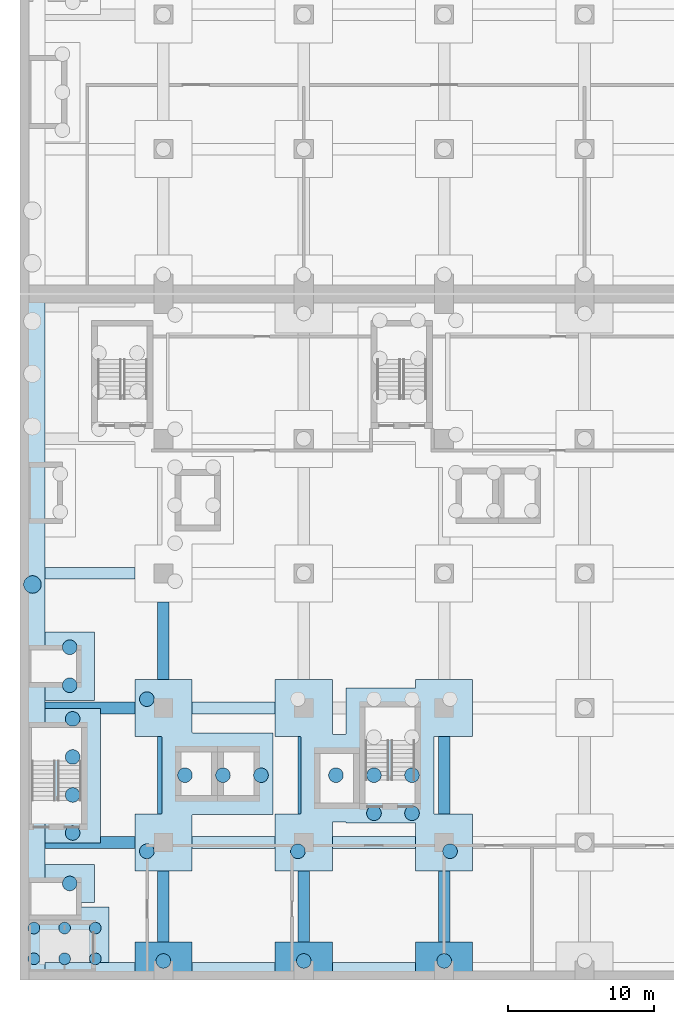
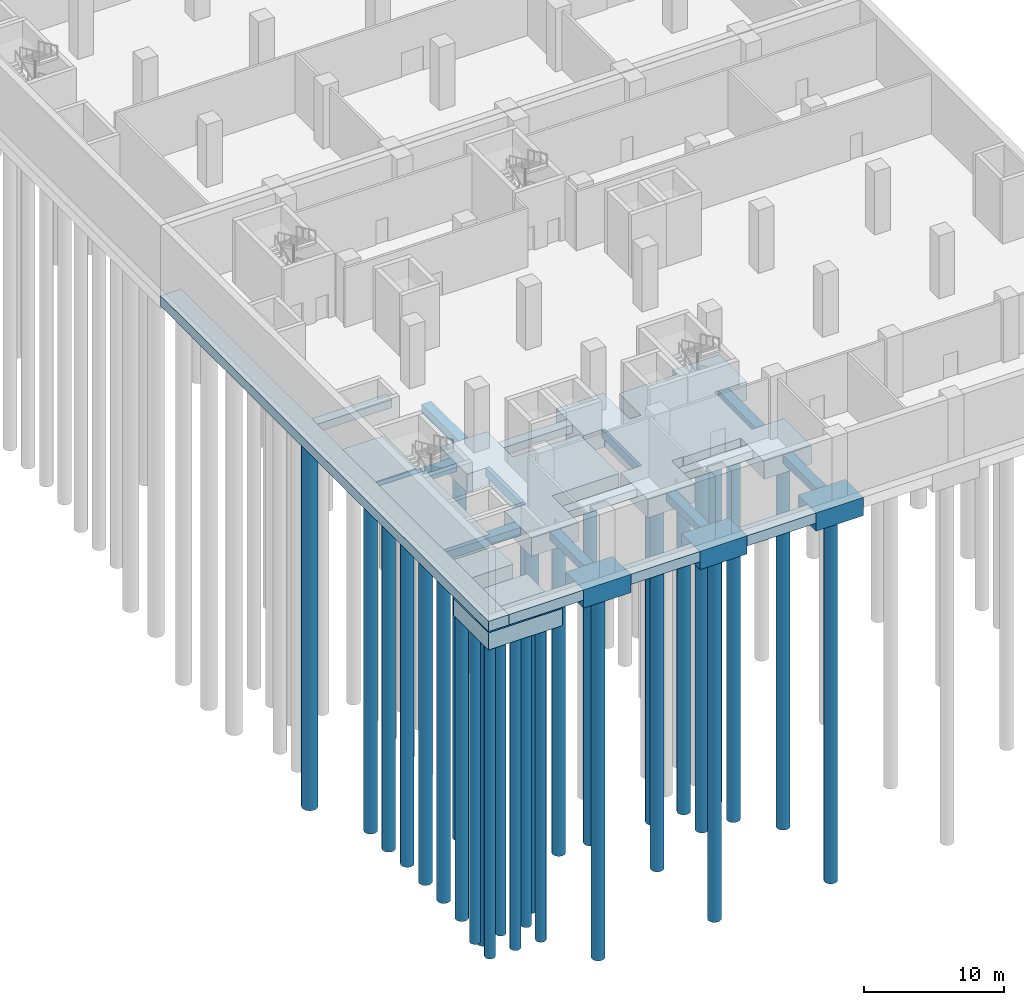
# One storey, part 1 of 33: 29 piles, 26 footings.
"""IFC4 building model written with IfcOpenShell, lengths in metres."""

from ifc_helpers import new_model, si_unit, direction, frame, origin, origin_2d, place, context, subcontext, project, spatial, polyline, circle, outline, extrude, material, layer, layer_set, material_profile, profile_set, type_object, element, save


model = new_model("IFC4")

# Units and contexts
model_context = context("Model", 3, precision=1e-05, world=origin(), true_north=direction((0.0, 1.0)))
body_context = subcontext(model_context, "Body", "Model", "MODEL_VIEW")
ifc_project = project(units=[si_unit("LENGTHUNIT", "METRE"), si_unit("AREAUNIT", "SQUARE_METRE"), si_unit("VOLUMEUNIT", "CUBIC_METRE"), si_unit("PLANEANGLEUNIT", "RADIAN"), si_unit("MASSUNIT", "GRAM", prefix="KILO")], contexts=[model_context])

# Site, building, storey
site_placement = place(None, origin())
site = spatial("IfcSite", under=ifc_project, at=site_placement, CompositionType="ELEMENT")
building_placement = place(site_placement, origin())
building = spatial("IfcBuilding", under=site, at=building_placement, Name="Nzadi Deep Aquarium and Research Tower", CompositionType="ELEMENT")
storey_placement = place(building_placement, frame((0.0, 0.0, -5.5)))
storey = spatial("IfcBuildingStorey", under=building, at=storey_placement, Name="B1", CompositionType="ELEMENT", Elevation=-5.5)

# Piles
ifc_material_1 = material(Name="Concrete C40/50", Category="concrete")
ifc_material_profile_1 = material_profile(ifc_material_1, circle(Radius=0.5, at=origin_2d()))
ifc_profile_set_1 = profile_set([ifc_material_profile_1], Name="Concrete C40/50")
pile_type_1 = type_object("IfcPileType", Name="Bored pile D1000", PredefinedType="BORED", material=ifc_profile_set_1)
for number, where, z_axis, x_axis, name in (
    (1, (9.599853515625, 1.10009765625, -2.10009765625), (0.0, 0.0, -1.0), (1.0, 0.0, 0.0), "P-Z1-01-1"),
    (2, (19.199951171875, 1.10009765625, -2.10009765625), (0.0, 0.0, -1.0), (1.0, 0.0, 0.0), "P-Z1-02-1"),
    (3, (28.7998046875, 1.10009765625, -2.10009765625), (0.0, 0.0, -1.0), (1.0, 0.0, 0.0), "P-Z1-03-1"),
    (4, (3.199951171875, 6.39990234375, -1.800048828125), (0.0, 0.0, -1.0), (1.0, 0.0, 0.0), "P-Z1-07-1"),
    (5, (8.47509765625, 8.60009765625, -2.10009765625), (0.0, 0.0, -1.0), (1.0, 0.0, 0.0), "P-Z1-08-1"),
    (6, (8.47509765625, 19.0, -2.10009765625), (0.0, 0.0, -1.0), (1.0, 0.0, 0.0), "P-Z1-08-2"),
    (7, (11.074951171875, 13.800048828125, -2.10009765625), (0.0, 0.0, -1.0), (1.0, 0.0, 0.0), "P-Z1-08-3"),
    (8, (13.675048828125, 13.800048828125, -2.10009765625), (0.0, 0.0, -1.0), (1.0, 0.0, 0.0), "P-Z1-08-4"),
    (9, (16.275146484375, 13.800048828125, -2.10009765625), (0.0, 0.0, -1.0), (1.0, 0.0, 0.0), "P-Z1-08-5"),
    (10, (18.800048828125, 8.60009765625, -2.10009765625), (0.0, 0.0, -1.0), (1.0, 0.0, 0.0), "P-Z1-09-1"),
    (11, (21.39990234375, 13.800048828125, -2.10009765625), (0.0, 0.0, -1.0), (1.0, 0.0, 0.0), "P-Z1-09-3"),
    (12, (24.0, 11.199951171875, -2.10009765625), (0.0, 0.0, -1.0), (1.0, 0.0, 0.0), "P-Z1-09-4"),
    (13, (24.0, 13.800048828125, -2.10009765625), (0.0, 0.0, -1.0), (1.0, 0.0, 0.0), "P-Z1-09-5"),
    (14, (26.60009765625, 11.199951171875, -2.10009765625), (0.0, 0.0, -1.0), (1.0, 0.0, 0.0), "P-Z1-09-8"),
    (15, (26.60009765625, 13.800048828125, -2.10009765625), (0.0, 0.0, -1.0), (1.0, 0.0, 0.0), "P-Z1-09-9"),
    (16, (29.199951171875, 8.60009765625, -2.10009765625), (0.0, 0.0, -1.0), (1.0, 0.0, 0.0), "P-Z1-09-12"),
    (17, (3.400146484375, 9.85009765625, -1.800048828125), (0.0, 0.0, -1.0), (1.0, 0.0, 0.0), "P-Z1-12-1"),
    (18, (3.400146484375, 12.449951171875, -1.800048828125), (0.0, 0.0, -1.0), (1.0, 0.0, 0.0), "P-Z1-12-2"),
    (19, (3.400146484375, 15.050048828125, -1.800048828125), (0.0, 0.0, -1.0), (1.0, 0.0, 0.0), "P-Z1-12-3"),
    (20, (3.400146484375, 17.64990234375, -1.800048828125), (0.0, 0.0, -1.0), (1.0, 0.0, 0.0), "P-Z1-12-4"),
    (21, (3.199951171875, 19.9501953125, -1.800048828125), (0.0, 0.0, -1.0), (1.0, 0.0, 0.0), "P-Z1-15-1"),
    (22, (3.199951171875, 22.550048828125, -1.800048828125), (0.0, 0.0, -1.0), (1.0, 0.0, 0.0), "P-Z1-15-2"),
):
    element("IfcPile", number, at=place(storey_placement, frame(where, z_axis=z_axis, x_axis=x_axis)), inside=storey, type_object=pile_type_1, Name=name, PredefinedType="BORED", context=body_context, shape_type="SweptSolid", body=[
        extrude(circle(Radius=0.5, at=origin_2d()), origin(), (0.0, 0.0, 1.0), 32.0),
    ])
ifc_material_2 = material(Name="Concrete C40/50", Category="concrete")
ifc_material_profile_2 = material_profile(ifc_material_2, circle(Radius=0.60009765625, at=origin_2d()))
ifc_profile_set_2 = profile_set([ifc_material_profile_2], Name="Concrete C40/50")
pile_type_2 = type_object("IfcPileType", Name="Bored pile D1200", PredefinedType="BORED", material=ifc_profile_set_2)
pile_placement = place(storey_placement, frame((0.64990234375, 26.840087890625, -1.39990234375), z_axis=(0.0, 0.0, -1.0), x_axis=(1.0, 0.0, 0.0)))
element("IfcPile", 23, at=pile_placement, inside=storey, type_object=pile_type_2, Name="P-Z1-Z1-W-1", PredefinedType="BORED", context=body_context, shape_type="SweptSolid", body=[
    extrude(circle(Radius=0.60009765625, at=origin_2d()), origin(), (0.0, 0.0, 1.0), 32.0),
])
ifc_material_3 = material(Name="Concrete C40/50", Category="concrete")
ifc_material_profile_3 = material_profile(ifc_material_3, circle(Radius=0.39990234375, at=origin_2d()))
ifc_profile_set_3 = profile_set([ifc_material_profile_3], Name="Concrete C40/50")
pile_type_3 = type_object("IfcPileType", Name="Bored pile D800", PredefinedType="BORED", material=ifc_profile_set_3)
for number, where, z_axis, x_axis, name in (
    (24, (0.75, 1.25, -3.0), (0.0, 0.0, -1.0), (1.0, 0.0, 0.0), "P-Z1-GL1-1"),
    (25, (0.75, 3.35009765625, -3.0), (0.0, 0.0, -1.0), (1.0, 0.0, 0.0), "P-Z1-GL1-2"),
    (26, (2.85009765625, 1.25, -3.0), (0.0, 0.0, -1.0), (1.0, 0.0, 0.0), "P-Z1-GL1-3"),
    (27, (2.85009765625, 3.35009765625, -3.0), (0.0, 0.0, -1.0), (1.0, 0.0, 0.0), "P-Z1-GL1-4"),
    (28, (4.949951171875, 1.25, -3.0), (0.0, 0.0, -1.0), (1.0, 0.0, 0.0), "P-Z1-GL1-5"),
    (29, (4.949951171875, 3.35009765625, -3.0), (0.0, 0.0, -1.0), (1.0, 0.0, 0.0), "P-Z1-GL1-6"),
):
    element("IfcPile", number, at=place(storey_placement, frame(where, z_axis=z_axis, x_axis=x_axis)), inside=storey, type_object=pile_type_3, Name=name, PredefinedType="BORED", context=body_context, shape_type="SweptSolid", body=[
        extrude(circle(Radius=0.39990234375, at=origin_2d()), origin(), (0.0, 0.0, 1.0), 28.0),
    ])

# Footings
ifc_material_4 = material(Name="Concrete C40/50", Category="concrete")
ifc_layer_1 = layer(ifc_material_4, 0.699951171875)
ifc_layer_set_1 = layer_set([ifc_layer_1], Name="Concrete C40/50")
footing_type_1 = type_object("IfcFootingType", Name="RC ground beam 700", PredefinedType="FOOTING_BEAM", material=ifc_layer_set_1)
footing_1_placement = place(storey_placement, frame((0.0, 0.0, -1.300048828125)))
element("IfcFooting", 30, at=footing_1_placement, inside=storey, type_object=footing_type_1, Name="SF-Z1-TX2-1", PredefinedType="FOOTING_BEAM", context=body_context, shape_type="SweptSolid", body=[
    extrude(outline(polyline([(7.64990234375, 9.60009765625), (5.300048828125, 9.60009765625), (5.300048828125, 9.151123046875), (5.300048828125, 9.150146484375), (5.298828125, 9.14990234375), (1.501220703125, 9.14990234375), (1.5, 9.150146484375), (1.5, 9.151123046875), (1.5, 8.800048828125), (7.64990234375, 8.800048828125), (7.64990234375, 9.60009765625)])), origin(), (0.0, 0.0, 1.0), 0.699951171875),
])
footing_2_placement = place(storey_placement, frame((0.0, 0.0, -1.300048828125)))
element("IfcFooting", 31, at=footing_2_placement, inside=storey, type_object=footing_type_1, Name="SF-Z1-TX2-2", PredefinedType="FOOTING_BEAM", context=body_context, shape_type="SweptSolid", body=[
    extrude(outline(polyline([(17.25, 9.60009765625), (11.550048828125, 9.60009765625), (11.550048828125, 8.800048828125), (17.25, 8.800048828125), (17.25, 9.60009765625)])), origin(), (0.0, 0.0, 1.0), 0.699951171875),
])
footing_3_placement = place(storey_placement, frame((0.0, 0.0, -1.300048828125)))
element("IfcFooting", 32, at=footing_3_placement, inside=storey, type_object=footing_type_1, Name="SF-Z1-TX2-3", PredefinedType="FOOTING_BEAM", context=body_context, shape_type="SweptSolid", body=[
    extrude(outline(polyline([(26.85009765625, 9.60009765625), (21.14990234375, 9.60009765625), (21.14990234375, 8.800048828125), (26.85009765625, 8.800048828125), (26.85009765625, 9.60009765625)])), origin(), (0.0, 0.0, 1.0), 0.699951171875),
])
footing_4_placement = place(storey_placement, frame((0.0, 0.0, -1.300048828125)))
element("IfcFooting", 33, at=footing_4_placement, inside=storey, type_object=footing_type_1, Name="SF-Z1-TX3-1", PredefinedType="FOOTING_BEAM", context=body_context, shape_type="SweptSolid", body=[
    extrude(outline(polyline([(7.64990234375, 18.800048828125), (1.5, 18.800048828125), (1.5, 18.348876953125), (1.5, 18.349853515625), (1.501220703125, 18.35009765625), (5.298828125, 18.35009765625), (5.300048828125, 18.349853515625), (5.300048828125, 18.348876953125), (5.300048828125, 18.0), (7.64990234375, 18.0), (7.64990234375, 18.800048828125)])), origin(), (0.0, 0.0, 1.0), 0.699951171875),
])
footing_5_placement = place(storey_placement, frame((0.0, 0.0, -1.300048828125)))
element("IfcFooting", 34, at=footing_5_placement, inside=storey, type_object=footing_type_1, Name="SF-Z1-TX3-2", PredefinedType="FOOTING_BEAM", context=body_context, shape_type="SweptSolid", body=[
    extrude(outline(polyline([(17.25, 18.800048828125), (11.550048828125, 18.800048828125), (11.550048828125, 18.0), (17.25, 18.0), (17.25, 18.800048828125)])), origin(), (0.0, 0.0, 1.0), 0.699951171875),
])
footing_6_placement = place(storey_placement, frame((0.0, 0.0, -1.300048828125)))
element("IfcFooting", 35, at=footing_6_placement, inside=storey, type_object=footing_type_1, Name="SF-Z1-TX4-1", PredefinedType="FOOTING_BEAM", context=body_context, shape_type="SweptSolid", body=[
    extrude(outline(polyline([(7.64990234375, 28.0), (1.5, 28.0), (1.5, 27.199951171875), (7.64990234375, 27.199951171875), (7.64990234375, 28.0)])), origin(), (0.0, 0.0, 1.0), 0.699951171875),
])
footing_7_placement = place(storey_placement, frame((0.0, 0.0, -1.300048828125)))
element("IfcFooting", 36, at=footing_7_placement, inside=storey, type_object=footing_type_1, Name="SF-Z1-TYB-1", PredefinedType="FOOTING_BEAM", context=body_context, shape_type="SweptSolid", body=[
    extrude(outline(polyline([(10.0, 2.39990234375), (10.0, 7.25), (9.199951171875, 7.25), (9.199951171875, 2.39990234375), (10.0, 2.39990234375)])), origin(), (0.0, 0.0, 1.0), 0.699951171875),
])
footing_8_placement = place(storey_placement, frame((0.0, 0.0, -1.300048828125)))
element("IfcFooting", 37, at=footing_8_placement, inside=storey, type_object=footing_type_1, Name="SF-Z1-TYB-2", PredefinedType="FOOTING_BEAM", context=body_context, shape_type="SweptSolid", body=[
    extrude(outline(polyline([(9.199951171875, 16.449951171875), (9.199951171875, 11.14990234375), (9.449951171875, 11.14990234375), (9.454833984375, 11.150146484375), (9.459716796875, 11.15087890625), (9.464599609375, 11.152099609375), (9.46923828125, 11.15380859375), (9.4736328125, 11.156005859375), (9.477783203125, 11.158447265625), (9.481689453125, 11.161376953125), (9.4853515625, 11.16455078125), (9.48876953125, 11.168212890625), (9.491455078125, 11.172119140625), (9.494140625, 11.176513671875), (9.49609375, 11.180908203125), (9.497802734375, 11.185546875), (9.4990234375, 11.190185546875), (9.499755859375, 11.195068359375), (9.5, 11.199951171875), (9.5, 16.39990234375), (9.499755859375, 16.40478515625), (9.4990234375, 16.40966796875), (9.497802734375, 16.41455078125), (9.49609375, 16.419189453125), (9.494140625, 16.423583984375), (9.491455078125, 16.427734375), (9.48876953125, 16.431640625), (9.4853515625, 16.435302734375), (9.481689453125, 16.438720703125), (9.477783203125, 16.441650390625), (9.4736328125, 16.444091796875), (9.46923828125, 16.4462890625), (9.464599609375, 16.44775390625), (9.459716796875, 16.448974609375), (9.454833984375, 16.44970703125), (9.449951171875, 16.449951171875), (9.199951171875, 16.449951171875)])), origin(), (0.0, 0.0, 1.0), 0.699951171875),
])
footing_9_placement = place(storey_placement, frame((0.0, 0.0, -1.300048828125)))
element("IfcFooting", 38, at=footing_9_placement, inside=storey, type_object=footing_type_1, Name="SF-Z1-TYB-3", PredefinedType="FOOTING_BEAM", context=body_context, shape_type="SweptSolid", body=[
    extrude(outline(polyline([(10.0, 20.35009765625), (10.0, 25.64990234375), (9.199951171875, 25.64990234375), (9.199951171875, 20.35009765625), (10.0, 20.35009765625)])), origin(), (0.0, 0.0, 1.0), 0.699951171875),
])
footing_10_placement = place(storey_placement, frame((0.0, 0.0, -1.300048828125)))
element("IfcFooting", 39, at=footing_10_placement, inside=storey, type_object=footing_type_1, Name="SF-Z1-TYC-1", PredefinedType="FOOTING_BEAM", context=body_context, shape_type="SweptSolid", body=[
    extrude(outline(polyline([(19.60009765625, 2.39990234375), (19.60009765625, 7.25), (18.800048828125, 7.25), (18.800048828125, 2.39990234375), (19.60009765625, 2.39990234375)])), origin(), (0.0, 0.0, 1.0), 0.699951171875),
])
footing_11_placement = place(storey_placement, frame((0.0, 0.0, -1.300048828125)))
element("IfcFooting", 40, at=footing_11_placement, inside=storey, type_object=footing_type_1, Name="SF-Z1-TYC-2", PredefinedType="FOOTING_BEAM", context=body_context, shape_type="SweptSolid", body=[
    extrude(outline(polyline([(18.800048828125, 16.449951171875), (18.800048828125, 11.14990234375), (18.949951171875, 11.14990234375), (18.954833984375, 11.150146484375), (18.959716796875, 11.15087890625), (18.964599609375, 11.152099609375), (18.96923828125, 11.15380859375), (18.9736328125, 11.156005859375), (18.977783203125, 11.158447265625), (18.981689453125, 11.161376953125), (18.9853515625, 11.16455078125), (18.98876953125, 11.168212890625), (18.991455078125, 11.172119140625), (18.994140625, 11.176513671875), (18.99609375, 11.180908203125), (18.997802734375, 11.185546875), (18.9990234375, 11.190185546875), (18.999755859375, 11.195068359375), (19.0, 11.199951171875), (19.0, 16.39990234375), (18.999755859375, 16.40478515625), (18.9990234375, 16.40966796875), (18.997802734375, 16.41455078125), (18.99609375, 16.419189453125), (18.994140625, 16.423583984375), (18.991455078125, 16.427734375), (18.98876953125, 16.431640625), (18.9853515625, 16.435302734375), (18.981689453125, 16.438720703125), (18.977783203125, 16.441650390625), (18.9736328125, 16.444091796875), (18.96923828125, 16.4462890625), (18.964599609375, 16.44775390625), (18.959716796875, 16.448974609375), (18.954833984375, 16.44970703125), (18.949951171875, 16.449951171875), (18.800048828125, 16.449951171875)])), origin(), (0.0, 0.0, 1.0), 0.699951171875),
])
footing_12_placement = place(storey_placement, frame((0.0, 0.0, -1.300048828125)))
element("IfcFooting", 41, at=footing_12_placement, inside=storey, type_object=footing_type_1, Name="SF-Z1-TYD-1", PredefinedType="FOOTING_BEAM", context=body_context, shape_type="SweptSolid", body=[
    extrude(outline(polyline([(29.199951171875, 2.39990234375), (29.199951171875, 7.25), (28.39990234375, 7.25), (28.39990234375, 2.39990234375), (29.199951171875, 2.39990234375)])), origin(), (0.0, 0.0, 1.0), 0.699951171875),
])
footing_13_placement = place(storey_placement, frame((0.0, 0.0, -1.300048828125)))
element("IfcFooting", 42, at=footing_13_placement, inside=storey, type_object=footing_type_1, Name="SF-Z1-TYD-2", PredefinedType="FOOTING_BEAM", context=body_context, shape_type="SweptSolid", body=[
    extrude(outline(polyline([(29.199951171875, 11.14990234375), (29.199951171875, 16.449951171875), (28.39990234375, 16.449951171875), (28.39990234375, 11.14990234375), (29.199951171875, 11.14990234375)])), origin(), (0.0, 0.0, 1.0), 0.699951171875),
])
ifc_material_5 = material(Name="Concrete C40/50", Category="concrete")
ifc_layer_2 = layer(ifc_material_5, 1.5)
ifc_layer_set_2 = layer_set([ifc_layer_2], Name="Concrete C40/50")
footing_type_2 = type_object("IfcFootingType", Name="RC lift pit raft 1500", PredefinedType="PAD_FOOTING", material=ifc_layer_set_2)
footing_14_placement = place(storey_placement, frame((0.0, 0.0, -3.10009765625)))
element("IfcFooting", 43, at=footing_14_placement, inside=storey, type_object=footing_type_2, Name="PF-GL1", PredefinedType="PAD_FOOTING", context=body_context, shape_type="SweptSolid", body=[
    extrude(outline(polyline([(5.89990234375, 4.800048828125), (-0.199462890625, 4.800048828125), (-0.199462890625, -0.199951171875), (5.89990234375, -0.199951171875), (5.89990234375, 4.800048828125)])), origin(), (0.0, 0.0, 1.0), 1.5),
])
ifc_material_6 = material(Name="Concrete C40/50", Category="concrete")
ifc_layer_3 = layer(ifc_material_6, 1.300048828125)
ifc_layer_set_3 = layer_set([ifc_layer_3], Name="Concrete C40/50")
footing_type_3 = type_object("IfcFootingType", Name="RC pile cap 1300", PredefinedType="PILE_CAP", material=ifc_layer_set_3)
footing_15_placement = place(storey_placement, frame((0.0, 0.0, -1.89990234375)))
element("IfcFooting", 44, at=footing_15_placement, inside=storey, type_object=footing_type_3, Name="PC-Z1-07", PredefinedType="PILE_CAP", context=body_context, shape_type="SweptSolid", body=[
    extrude(outline(polyline([(1.5, 7.699951171875), (1.5, 7.69873046875), (1.5, 5.10009765625), (4.89990234375, 5.10009765625), (4.89990234375, 7.69873046875), (4.89990234375, 7.699951171875), (4.898681640625, 7.699951171875), (1.501220703125, 7.699951171875), (1.5, 7.699951171875)])), origin(), (0.0, 0.0, 1.0), 1.2998046875),
])
footing_16_placement = place(storey_placement, frame((0.0, 0.0, -1.89990234375)))
element("IfcFooting", 45, at=footing_16_placement, inside=storey, type_object=footing_type_3, Name="PC-Z1-12", PredefinedType="PILE_CAP", context=body_context, shape_type="SweptSolid", body=[
    extrude(outline(polyline([(5.298828125, 18.35009765625), (1.501220703125, 18.35009765625), (1.5, 18.349853515625), (1.5, 18.348876953125), (1.5, 9.151123046875), (1.5, 9.150146484375), (1.501220703125, 9.14990234375), (5.298828125, 9.14990234375), (5.300048828125, 9.150146484375), (5.300048828125, 9.151123046875), (5.300048828125, 18.348876953125), (5.300048828125, 18.349853515625), (5.298828125, 18.35009765625)])), origin(), (0.0, 0.0, 1.0), 1.2998046875),
])
footing_17_placement = place(storey_placement, frame((0.0, 0.0, -1.89990234375)))
element("IfcFooting", 46, at=footing_17_placement, inside=storey, type_object=footing_type_3, Name="PC-Z1-15", PredefinedType="PILE_CAP", context=body_context, shape_type="SweptSolid", body=[
    extrude(outline(polyline([(1.5, 23.598876953125), (1.5, 18.901123046875), (1.5, 18.900146484375), (1.501220703125, 18.89990234375), (4.898681640625, 18.89990234375), (4.89990234375, 18.900146484375), (4.89990234375, 18.901123046875), (4.89990234375, 23.598876953125), (4.89990234375, 23.599853515625), (4.898681640625, 23.60009765625), (1.501220703125, 23.60009765625), (1.5, 23.599853515625), (1.5, 23.598876953125)])), origin(), (0.0, 0.0, 1.0), 1.2998046875),
])
ifc_material_7 = material(Name="Concrete C40/50", Category="concrete")
ifc_layer_4 = layer(ifc_material_7, 1.60009765625)
ifc_layer_set_4 = layer_set([ifc_layer_4], Name="Concrete C40/50")
footing_type_4 = type_object("IfcFootingType", Name="RC pile cap 1600", PredefinedType="PILE_CAP", material=ifc_layer_set_4)
footing_18_placement = place(storey_placement, frame((0.0, 0.0, -2.199951171875)))
element("IfcFooting", 47, at=footing_18_placement, inside=storey, type_object=footing_type_4, Name="PC-Z1-01", PredefinedType="PILE_CAP", context=body_context, shape_type="SweptSolid", body=[
    extrude(outline(polyline([(7.650146484375, 2.39990234375), (7.64990234375, 2.398681640625), (7.64990234375, -0.199951171875), (11.550048828125, -0.199951171875), (11.550048828125, 2.398681640625), (11.550048828125, 2.39990234375), (11.548828125, 2.39990234375), (7.651123046875, 2.39990234375), (7.650146484375, 2.39990234375)])), origin(), (0.0, 0.0, 1.0), 1.599853515625),
])
footing_19_placement = place(storey_placement, frame((0.0, 0.0, -2.199951171875)))
element("IfcFooting", 48, at=footing_19_placement, inside=storey, type_object=footing_type_4, Name="PC-Z1-02", PredefinedType="PILE_CAP", context=body_context, shape_type="SweptSolid", body=[
    extrude(outline(polyline([(17.25, 2.39990234375), (17.25, 2.398681640625), (17.25, -0.199951171875), (21.14990234375, -0.199951171875), (21.14990234375, 2.398681640625), (21.14990234375, 2.39990234375), (21.148681640625, 2.39990234375), (17.251220703125, 2.39990234375), (17.25, 2.39990234375)])), origin(), (0.0, 0.0, 1.0), 1.599853515625),
])
footing_20_placement = place(storey_placement, frame((0.0, 0.0, -2.199951171875)))
element("IfcFooting", 49, at=footing_20_placement, inside=storey, type_object=footing_type_4, Name="PC-Z1-03", PredefinedType="PILE_CAP", context=body_context, shape_type="SweptSolid", body=[
    extrude(outline(polyline([(26.85009765625, 2.39990234375), (26.85009765625, 2.398681640625), (26.85009765625, -0.199951171875), (30.75, -0.199951171875), (30.75, 2.398681640625), (30.75, 2.39990234375), (30.748779296875, 2.39990234375), (26.851318359375, 2.39990234375), (26.85009765625, 2.39990234375)])), origin(), (0.0, 0.0, 1.0), 1.599853515625),
])
footing_21_placement = place(storey_placement, frame((0.0, 0.0, -2.199951171875)))
element("IfcFooting", 50, at=footing_21_placement, inside=storey, type_object=footing_type_4, Name="PC-Z1-08", PredefinedType="PILE_CAP", context=body_context, shape_type="SweptSolid", body=[
    extrude(outline(polyline([(7.64990234375, 11.148681640625), (7.64990234375, 7.251220703125), (7.650146484375, 7.25), (7.651123046875, 7.25), (11.548828125, 7.25), (11.550048828125, 7.25), (11.550048828125, 7.251220703125), (11.550048828125, 11.050048828125), (11.55029296875, 11.054931640625), (11.551025390625, 11.059814453125), (11.55224609375, 11.064453125), (11.5537109375, 11.069091796875), (11.555908203125, 11.073486328125), (11.558349609375, 11.077880859375), (11.561279296875, 11.081787109375), (11.564697265625, 11.08544921875), (11.568359375, 11.088623046875), (11.572265625, 11.091552734375), (11.576416015625, 11.093994140625), (11.580810546875, 11.09619140625), (11.58544921875, 11.097900390625), (11.59033203125, 11.09912109375), (11.59521484375, 11.099853515625), (11.60009765625, 11.10009765625), (17.098876953125, 11.10009765625), (17.099853515625, 11.10009765625), (17.10009765625, 11.101318359375), (17.10009765625, 16.69873046875), (17.099853515625, 16.699951171875), (17.098876953125, 16.699951171875), (11.60009765625, 16.699951171875), (11.59521484375, 16.7001953125), (11.59033203125, 16.700927734375), (11.58544921875, 16.7021484375), (11.580810546875, 16.703857421875), (11.576416015625, 16.705810546875), (11.572265625, 16.70849609375), (11.568359375, 16.71142578125), (11.564697265625, 16.714599609375), (11.561279296875, 16.71826171875), (11.558349609375, 16.72216796875), (11.555908203125, 16.726318359375), (11.5537109375, 16.73095703125), (11.55224609375, 16.735595703125), (11.551025390625, 16.740234375), (11.55029296875, 16.7451171875), (11.550048828125, 16.75), (11.550048828125, 20.348876953125), (11.550048828125, 20.349853515625), (11.548828125, 20.35009765625), (7.651123046875, 20.35009765625), (7.650146484375, 20.349853515625), (7.64990234375, 20.348876953125), (7.64990234375, 16.451171875), (7.650146484375, 16.449951171875), (7.651123046875, 16.449951171875), (9.449951171875, 16.449951171875), (9.454833984375, 16.44970703125), (9.459716796875, 16.448974609375), (9.464599609375, 16.44775390625), (9.46923828125, 16.4462890625), (9.4736328125, 16.444091796875), (9.477783203125, 16.441650390625), (9.481689453125, 16.438720703125), (9.4853515625, 16.435302734375), (9.48876953125, 16.431640625), (9.491455078125, 16.427734375), (9.494140625, 16.423583984375), (9.49609375, 16.419189453125), (9.497802734375, 16.41455078125), (9.4990234375, 16.40966796875), (9.499755859375, 16.40478515625), (9.5, 16.39990234375), (9.5, 11.199951171875), (9.499755859375, 11.195068359375), (9.4990234375, 11.190185546875), (9.497802734375, 11.185546875), (9.49609375, 11.180908203125), (9.494140625, 11.176513671875), (9.491455078125, 11.172119140625), (9.48876953125, 11.168212890625), (9.4853515625, 11.16455078125), (9.481689453125, 11.161376953125), (9.477783203125, 11.158447265625), (9.4736328125, 11.156005859375), (9.46923828125, 11.15380859375), (9.464599609375, 11.152099609375), (9.459716796875, 11.15087890625), (9.454833984375, 11.150146484375), (9.449951171875, 11.14990234375), (7.651123046875, 11.14990234375), (7.650146484375, 11.14990234375), (7.64990234375, 11.148681640625)])), origin(), (0.0, 0.0, 1.0), 1.599853515625),
])
footing_22_placement = place(storey_placement, frame((0.0, 0.0, -2.199951171875)))
element("IfcFooting", 51, at=footing_22_placement, inside=storey, type_object=footing_type_4, Name="PC-Z1-09", PredefinedType="PILE_CAP", context=body_context, shape_type="SweptSolid", body=[
    extrude(outline(polyline([(17.25, 11.148681640625), (17.25, 7.251220703125), (17.25, 7.25), (17.251220703125, 7.25), (21.148681640625, 7.25), (21.14990234375, 7.25), (21.14990234375, 7.251220703125), (21.14990234375, 10.550048828125), (21.150146484375, 10.554931640625), (21.15087890625, 10.559814453125), (21.152099609375, 10.564453125), (21.15380859375, 10.569091796875), (21.156005859375, 10.573486328125), (21.158447265625, 10.577880859375), (21.161376953125, 10.581787109375), (21.16455078125, 10.58544921875), (21.168212890625, 10.588623046875), (21.172119140625, 10.591552734375), (21.176513671875, 10.593994140625), (21.180908203125, 10.59619140625), (21.185546875, 10.597900390625), (21.190185546875, 10.59912109375), (21.195068359375, 10.599853515625), (21.199951171875, 10.60009765625), (22.050048828125, 10.60009765625), (22.05517578125, 10.599853515625), (22.06005859375, 10.598876953125), (22.06494140625, 10.59765625), (22.06982421875, 10.595947265625), (22.07421875, 10.59375), (22.07861328125, 10.591064453125), (22.08251953125, 10.587890625), (22.086181640625, 10.58447265625), (22.089599609375, 10.58056640625), (22.092529296875, 10.576416015625), (22.094970703125, 10.572021484375), (22.096923828125, 10.5673828125), (22.098388671875, 10.5625), (22.099365234375, 10.5576171875), (22.099853515625, 10.552490234375), (22.10009765625, 10.550048828125), (22.101318359375, 10.550048828125), (26.800048828125, 10.550048828125), (26.804931640625, 10.5498046875), (26.809814453125, 10.549072265625), (26.814453125, 10.5478515625), (26.819091796875, 10.546142578125), (26.823486328125, 10.544189453125), (26.827880859375, 10.54150390625), (26.831787109375, 10.53857421875), (26.83544921875, 10.535400390625), (26.838623046875, 10.53173828125), (26.841552734375, 10.52783203125), (26.843994140625, 10.523681640625), (26.84619140625, 10.51904296875), (26.847900390625, 10.514404296875), (26.84912109375, 10.509765625), (26.849853515625, 10.5048828125), (26.85009765625, 10.5), (26.85009765625, 7.251220703125), (26.85009765625, 7.25), (26.851318359375, 7.25), (30.748779296875, 7.25), (30.75, 7.25), (30.75, 7.251220703125), (30.75, 11.148681640625), (30.75, 11.14990234375), (30.748779296875, 11.14990234375), (28.14990234375, 11.14990234375), (28.14501953125, 11.150146484375), (28.14013671875, 11.15087890625), (28.135498046875, 11.152099609375), (28.130859375, 11.15380859375), (28.12646484375, 11.156005859375), (28.122314453125, 11.158447265625), (28.1181640625, 11.161376953125), (28.11474609375, 11.16455078125), (28.111328125, 11.168212890625), (28.1083984375, 11.172119140625), (28.10595703125, 11.176513671875), (28.103759765625, 11.180908203125), (28.10205078125, 11.185546875), (28.10107421875, 11.190185546875), (28.100341796875, 11.195068359375), (28.10009765625, 11.199951171875), (28.10009765625, 16.39990234375), (28.100341796875, 16.40478515625), (28.10107421875, 16.40966796875), (28.10205078125, 16.41455078125), (28.103759765625, 16.419189453125), (28.10595703125, 16.423583984375), (28.1083984375, 16.427734375), (28.111328125, 16.431640625), (28.11474609375, 16.435302734375), (28.1181640625, 16.438720703125), (28.122314453125, 16.441650390625), (28.12646484375, 16.444091796875), (28.130859375, 16.4462890625), (28.135498046875, 16.44775390625), (28.14013671875, 16.448974609375), (28.14501953125, 16.44970703125), (28.14990234375, 16.449951171875), (30.748779296875, 16.449951171875), (30.75, 16.449951171875), (30.75, 16.451171875), (30.75, 20.348876953125), (30.75, 20.349853515625), (30.748779296875, 20.35009765625), (26.851318359375, 20.35009765625), (26.85009765625, 20.349853515625), (26.85009765625, 20.348876953125), (26.85009765625, 19.800048828125), (26.849853515625, 19.795166015625), (26.84912109375, 19.790283203125), (26.847900390625, 19.785400390625), (26.84619140625, 19.78076171875), (26.843994140625, 19.7763671875), (26.841552734375, 19.772216796875), (26.838623046875, 19.768310546875), (26.83544921875, 19.7646484375), (26.831787109375, 19.76123046875), (26.827880859375, 19.758544921875), (26.823486328125, 19.755859375), (26.819091796875, 19.75390625), (26.814453125, 19.752197265625), (26.809814453125, 19.7509765625), (26.804931640625, 19.750244140625), (26.800048828125, 19.75), (22.101318359375, 19.75), (22.10009765625, 19.75), (22.10009765625, 19.748779296875), (22.10009765625, 16.64990234375), (22.099853515625, 16.64501953125), (22.09912109375, 16.64013671875), (22.097900390625, 16.635498046875), (22.09619140625, 16.630859375), (22.093994140625, 16.62646484375), (22.091552734375, 16.622314453125), (22.088623046875, 16.6181640625), (22.08544921875, 16.61474609375), (22.081787109375, 16.611328125), (22.077880859375, 16.6083984375), (22.073486328125, 16.60595703125), (22.069091796875, 16.603759765625), (22.064453125, 16.60205078125), (22.059814453125, 16.60107421875), (22.054931640625, 16.600341796875), (22.050048828125, 16.60009765625), (21.199951171875, 16.60009765625), (21.195068359375, 16.600341796875), (21.190185546875, 16.60107421875), (21.185546875, 16.60205078125), (21.180908203125, 16.603759765625), (21.176513671875, 16.60595703125), (21.172119140625, 16.6083984375), (21.168212890625, 16.611328125), (21.16455078125, 16.61474609375), (21.161376953125, 16.6181640625), (21.158447265625, 16.622314453125), (21.156005859375, 16.62646484375), (21.15380859375, 16.630859375), (21.152099609375, 16.635498046875), (21.15087890625, 16.64013671875), (21.150146484375, 16.64501953125), (21.14990234375, 16.64990234375), (21.14990234375, 20.348876953125), (21.14990234375, 20.349853515625), (21.148681640625, 20.35009765625), (17.251220703125, 20.35009765625), (17.25, 20.349853515625), (17.25, 20.348876953125), (17.25, 16.451171875), (17.25, 16.449951171875), (17.251220703125, 16.449951171875), (18.949951171875, 16.449951171875), (18.954833984375, 16.44970703125), (18.959716796875, 16.448974609375), (18.964599609375, 16.44775390625), (18.96923828125, 16.4462890625), (18.9736328125, 16.444091796875), (18.977783203125, 16.441650390625), (18.981689453125, 16.438720703125), (18.9853515625, 16.435302734375), (18.98876953125, 16.431640625), (18.991455078125, 16.427734375), (18.994140625, 16.423583984375), (18.99609375, 16.419189453125), (18.997802734375, 16.41455078125), (18.9990234375, 16.40966796875), (18.999755859375, 16.40478515625), (19.0, 16.39990234375), (19.0, 11.199951171875), (18.999755859375, 11.195068359375), (18.9990234375, 11.190185546875), (18.997802734375, 11.185546875), (18.99609375, 11.180908203125), (18.994140625, 11.176513671875), (18.991455078125, 11.172119140625), (18.98876953125, 11.168212890625), (18.9853515625, 11.16455078125), (18.981689453125, 11.161376953125), (18.977783203125, 11.158447265625), (18.9736328125, 11.156005859375), (18.96923828125, 11.15380859375), (18.964599609375, 11.152099609375), (18.959716796875, 11.15087890625), (18.954833984375, 11.150146484375), (18.949951171875, 11.14990234375), (17.251220703125, 11.14990234375), (17.25, 11.14990234375), (17.25, 11.148681640625)])), origin(), (0.0, 0.0, 1.0), 1.599853515625),
])
ifc_material_8 = material(Name="Concrete C40/50", Category="concrete")
ifc_layer_5 = layer(ifc_material_8, 0.89990234375)
ifc_layer_set_5 = layer_set([ifc_layer_5], Name="Concrete C40/50")
footing_type_5 = type_object("IfcFootingType", Name="RC strip footing 900", PredefinedType="STRIP_FOOTING", material=ifc_layer_set_5)
footing_23_placement = place(storey_placement, frame((0.0, 0.0, -1.5)))
element("IfcFooting", 52, at=footing_23_placement, inside=storey, type_object=footing_type_5, Name="SF-Z1-W", PredefinedType="STRIP_FOOTING", context=body_context, shape_type="SweptSolid", body=[
    extrude(outline(polyline([(1.5, -0.199951171875), (1.5, 46.679931640625), (-0.199462890625, 46.679931640625), (-0.199462890625, -0.199951171875), (1.5, -0.199951171875)])), origin(), (0.0, 0.0, 1.0), 0.89990234375),
])
footing_24_placement = place(storey_placement, frame((0.0, 0.0, -1.5)))
element("IfcFooting", 53, at=footing_24_placement, inside=storey, type_object=footing_type_5, Name="SF-Z1-S-4", PredefinedType="STRIP_FOOTING", context=body_context, shape_type="SweptSolid", body=[
    extrude(outline(polyline([(26.85009765625, 1.0), (21.14990234375, 1.0), (21.14990234375, -0.199951171875), (26.85009765625, -0.199951171875), (26.85009765625, 1.0)])), origin(), (0.0, 0.0, 1.0), 0.89990234375),
])
footing_25_placement = place(storey_placement, frame((0.0, 0.0, -1.5)))
element("IfcFooting", 54, at=footing_25_placement, inside=storey, type_object=footing_type_5, Name="SF-Z1-S-5", PredefinedType="STRIP_FOOTING", context=body_context, shape_type="SweptSolid", body=[
    extrude(outline(polyline([(17.25, 1.0), (11.550048828125, 1.0), (11.550048828125, -0.199951171875), (17.25, -0.199951171875), (17.25, 1.0)])), origin(), (0.0, 0.0, 1.0), 0.89990234375),
])
footing_26_placement = place(storey_placement, frame((0.0, 0.0, -1.5)))
element("IfcFooting", 55, at=footing_26_placement, inside=storey, type_object=footing_type_5, Name="SF-Z1-S-6", PredefinedType="STRIP_FOOTING", context=body_context, shape_type="SweptSolid", body=[
    extrude(outline(polyline([(1.5, -0.199951171875), (7.64990234375, -0.199951171875), (7.64990234375, 1.0), (1.5, 1.0), (1.5, -0.199951171875)])), origin(), (0.0, 0.0, 1.0), 0.89990234375),
])

save(model, "model.ifc")
